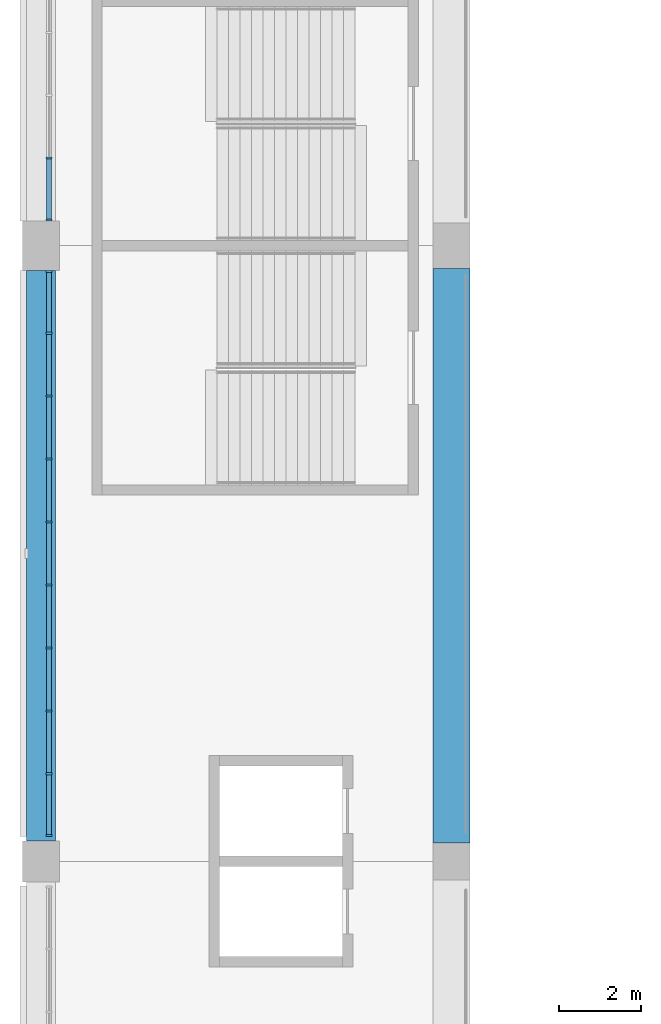
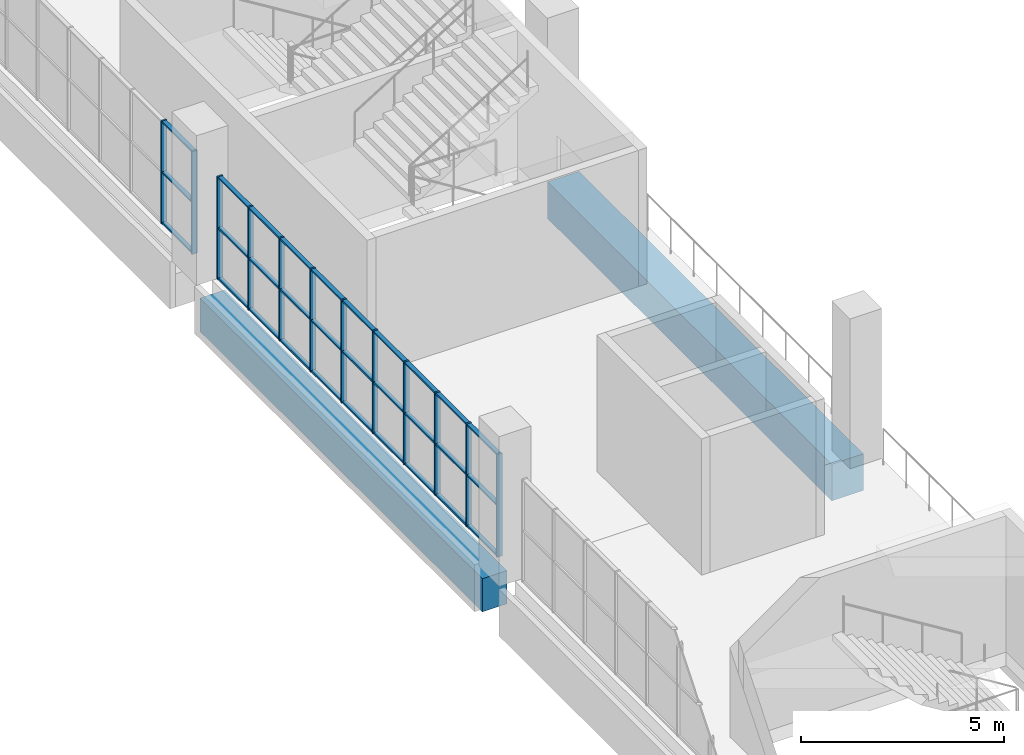
# One storey, part 15 of 177: 42 members, 2 beams, 2 elements without a shape of their own.
"""IFC4 building model written with IfcOpenShell, lengths in metres."""

import ifcopenshell
import ifcopenshell.guid

model = None  # the IFC model being written
_history = None  # IfcOwnerHistory: only IFC2X3 demands one
_inside = {}  # id of a spatial element -> (the spatial element, [elements in it])
_under = {}  # id of a project, library or spatial element -> (it, [spatial elements below it])
_declared = {}  # id of a project -> (the project, [libraries it declares])
_typed = {}  # id of a type object -> (the type object, [elements of that type])
_made_of = {}  # id of a material, layer set ... -> (it, [elements and type objects made of it])


def new_model(schema):
    """Start an empty IFC model of exactly this schema.

    Asked for "IFC4X3", IfcOpenShell would pick the latest addendum, in which some entities
    have other attributes; the version numbers below select the first issue.
    IFC2X3 requires an IfcOwnerHistory on every rooted entity: one is made here for all.
    """
    global model, _history
    if schema == "IFC4X3":
        model = ifcopenshell.file(schema_version=(4, 3, 0, 0))
    else:
        model = ifcopenshell.file(schema=schema)
    _inside.clear()
    _under.clear()
    _declared.clear()
    _typed.clear()
    _made_of.clear()
    _history = None
    if model.schema == "IFC2X3":
        org = make("IfcOrganization", Name="unknown")
        user = make(
            "IfcPersonAndOrganization",
            ThePerson=make("IfcPerson", FamilyName="unknown"),
            TheOrganization=org,
        )
        app = make(
            "IfcApplication",
            ApplicationDeveloper=org,
            Version="unknown",
            ApplicationFullName="unknown",
            ApplicationIdentifier="unknown",
        )
        _history = make(
            "IfcOwnerHistory",
            OwningUser=user,
            OwningApplication=app,
            ChangeAction="ADDED",
            CreationDate=0,
        )
    return model


def make(cls, **values):
    """One entity of the class cls with the attributes given. An attribute that is None is left unset."""
    return model.create_entity(
        cls, **{name: value for name, value in values.items() if value is not None}
    )


def rooted(cls, **values):
    """An entity with a GlobalId (a new one), such as an element, a storey or a relation."""
    return make(cls, GlobalId=ifcopenshell.guid.new(), OwnerHistory=_history, **values)


def si_unit(unit_type, name, prefix=None):
    """IfcSIUnit, for example si_unit("LENGTHUNIT", "METRE", prefix="MILLI")."""
    return make("IfcSIUnit", UnitType=unit_type, Prefix=prefix, Name=name)


def assignment(units):
    """IfcUnitAssignment: the units of a project."""
    return None if units is None else make("IfcUnitAssignment", Units=units)


def point(xyz):
    """IfcCartesianPoint."""
    return None if xyz is None else make("IfcCartesianPoint", Coordinates=xyz)


def direction(xyz):
    """IfcDirection."""
    return None if xyz is None else make("IfcDirection", DirectionRatios=xyz)


def frame(location, z_axis=None, x_axis=None):
    """IfcAxis2Placement3D, a coordinate frame: its origin and axes. An axis left out is left unset."""
    return make(
        "IfcAxis2Placement3D",
        Location=point(location),
        Axis=direction(z_axis),
        RefDirection=direction(x_axis),
    )


def frame_2d(location, x_axis=None):
    """IfcAxis2Placement2D, a coordinate frame in the plane: its origin and x axis."""
    return make(
        "IfcAxis2Placement2D", Location=point(location), RefDirection=direction(x_axis)
    )


def origin():
    """The frame at (0, 0, 0) with its axes left unset."""
    return frame((0.0, 0.0, 0.0))


def origin_2d():
    """The frame at (0, 0) in the plane with its x axis left unset."""
    return frame_2d((0.0, 0.0))


def place(relative_to, where):
    """IfcLocalPlacement: puts the frame where relative to a parent placement (None: the world)."""
    return make(
        "IfcLocalPlacement", PlacementRelTo=relative_to, RelativePlacement=where
    )


def context(
    kind, dimensions, precision=None, world=None, true_north=None, identifier=None
):
    """IfcGeometricRepresentationContext, for example the 3D "Model" context."""
    return make(
        "IfcGeometricRepresentationContext",
        ContextIdentifier=identifier,
        ContextType=kind,
        CoordinateSpaceDimension=dimensions,
        Precision=precision,
        WorldCoordinateSystem=world,
        TrueNorth=true_north,
    )


def subcontext(parent, identifier, kind, view, scale=None):
    """IfcGeometricRepresentationSubContext, for example "Body" below "Model"."""
    return make(
        "IfcGeometricRepresentationSubContext",
        ContextIdentifier=identifier,
        ContextType=kind,
        ParentContext=parent,
        TargetScale=scale,
        TargetView=view,
    )


def project(units=None, contexts=None):
    """IfcProject with its units and contexts."""
    return rooted(
        "IfcProject",
        Name="project",
        RepresentationContexts=contexts,
        UnitsInContext=assignment(units),
    )


def spatial(cls, under=None, at=None, **own):
    """A site, building, storey or space (cls), placed at a placement, below another one or the project."""
    s = rooted(cls, ObjectPlacement=at, **own)
    if under is not None:
        _under.setdefault(under.id(), (under, []))[1].append(s)
    return s


def profile(cls, at=None, kind="AREA", **sizes):
    """A parametric profile (cls). Its sizes go by their IFC names, for example OverallWidth=200.0."""
    return make(cls, ProfileType=kind, Position=at, **sizes)


def rectangle(**sizes):
    """IfcRectangleProfileDef."""
    return profile("IfcRectangleProfileDef", **sizes)


def extrude(swept, where, along, depth):
    """IfcExtrudedAreaSolid: the profile swept, set in the frame where, extruded along a direction by depth."""
    return make(
        "IfcExtrudedAreaSolid",
        SweptArea=swept,
        Position=where,
        ExtrudedDirection=direction(along),
        Depth=depth,
    )


def shape(context_of_items, identifier, shape_type, items):
    """IfcShapeRepresentation: the items that make up one representation, for example the "Body"."""
    return make(
        "IfcShapeRepresentation",
        ContextOfItems=context_of_items,
        RepresentationIdentifier=identifier,
        RepresentationType=shape_type,
        Items=items,
    )


def material(Name=None, Category=None):
    """IfcMaterial."""
    return make("IfcMaterial", Name=Name, Category=Category)


def material_profile(
    of_material, cross_section, Name=None, Category=None, Priority=None
):
    """IfcMaterialProfile: a cross section and its material."""
    return make(
        "IfcMaterialProfile",
        Name=Name,
        Material=of_material,
        Profile=cross_section,
        Priority=Priority,
        Category=Category,
    )


def profile_set(profiles, Name=None, composite=None):
    """IfcMaterialProfileSet."""
    return make(
        "IfcMaterialProfileSet",
        Name=Name,
        MaterialProfiles=profiles,
        CompositeProfile=composite,
    )


def made_of(thing, what):
    """Note that an element or type object is made of a material, layer set ...; save() writes the relation."""
    if what is not None:
        _made_of.setdefault(what.id(), (what, []))[1].append(thing)
    return thing


def type_object(cls, material=None, **own):
    """A type object (cls), such as IfcWallType, which elements share."""
    return made_of(rooted(cls, **own), material)


def element(
    cls,
    number,
    at=None,
    inside=None,
    cuts=None,
    type_object=None,
    material=None,
    context=None,
    identifier="Body",
    shape_type=None,
    held_by="IfcProductDefinitionShape",
    body=None,
    shapes=None,
    **own,
):
    """One element of the class cls, such as IfcWall. Its Tag is "e" and its number.

    at: its placement. inside: the storey or other place that contains it. cuts: it is an
    opening in that element (IfcRelVoidsElement). A single representation is given by context,
    identifier, shape_type and body (its items); several are given by shapes. held_by: the class
    of the entity that holds the representations. save() writes the other relations.
    """
    e = rooted(cls, Tag="e%d" % number, ObjectPlacement=at, **own)
    if body is not None:
        shapes = [shape(context, identifier, shape_type, body)]
    if shapes is not None:
        e.Representation = make(held_by, Representations=shapes)
    if inside is not None:
        _inside.setdefault(inside.id(), (inside, []))[1].append(e)
    if cuts is not None:
        rooted(
            "IfcRelVoidsElement", RelatingBuildingElement=cuts, RelatedOpeningElement=e
        )
    if type_object is not None:
        _typed.setdefault(type_object.id(), (type_object, []))[1].append(e)
    return made_of(e, material)


def aggregate(whole, parts):
    """IfcRelAggregates: a whole, such as a stair, and the parts it consists of."""
    return rooted("IfcRelAggregates", RelatingObject=whole, RelatedObjects=parts)


def save(model, path):
    """Write the relations noted so far, then the file.

    IfcRelAggregates (storeys below a building ...), IfcRelContainedInSpatialStructure (elements
    in a storey), IfcRelDefinesByType, IfcRelAssociatesMaterial and IfcRelDeclares: one each for
    every whole, place, type object, material and project.
    """
    for whole, parts in _under.values():
        aggregate(whole, parts)
    for where, things in _inside.values():
        rooted(
            "IfcRelContainedInSpatialStructure",
            RelatedElements=things,
            RelatingStructure=where,
        )
    for kind, things in _typed.values():
        rooted("IfcRelDefinesByType", RelatedObjects=things, RelatingType=kind)
    for what, things in _made_of.values():
        rooted("IfcRelAssociatesMaterial", RelatedObjects=things, RelatingMaterial=what)
    for by, libraries in _declared.values():
        rooted("IfcRelDeclares", RelatingContext=by, RelatedDefinitions=libraries)
    model.write(path)


model = new_model("IFC4")

# Units and contexts
model_context = context("Model", 3, precision=1e-05, world=origin(), true_north=direction((0.0, 1.0)))
body_context = subcontext(model_context, "Body", "Model", "MODEL_VIEW")
ifc_project = project(units=[si_unit("LENGTHUNIT", "METRE"), si_unit("AREAUNIT", "SQUARE_METRE"), si_unit("VOLUMEUNIT", "CUBIC_METRE"), si_unit("PLANEANGLEUNIT", "RADIAN"), si_unit("MASSUNIT", "GRAM", prefix="KILO")], contexts=[model_context])

# Site, building, storey
site_placement = place(None, origin())
site = spatial("IfcSite", under=ifc_project, at=site_placement, CompositionType="ELEMENT")
building_placement = place(site_placement, origin())
building = spatial("IfcBuilding", under=site, at=building_placement, Name="Ogive Plaza Stadium", CompositionType="ELEMENT")
storey_placement = place(building_placement, frame((0.0, 0.0, 18.0)))
storey = spatial("IfcBuildingStorey", under=building, at=storey_placement, Name="L04", CompositionType="ELEMENT", Elevation=18.0)

# Curtain wall, members
ifc_material_1 = material(Name="Bronze-anodised aluminium with laminated glass", Category="aluminium")
curtain_wall_type = type_object("IfcCurtainWallType", Name="Lancet curtain wall", PredefinedType="NOTDEFINED", material=ifc_material_1)
curtain_wall_1_placement = place(storey_placement, origin())
curtain_wall_1 = element("IfcCurtainWall", 1, at=curtain_wall_1_placement, inside=storey, type_object=curtain_wall_type, Name="CURTAIN WALL B25 L04", PredefinedType="NOTDEFINED")
ifc_material_2 = material(Name="Bronze-anodised aluminium", Category="aluminium")
ifc_material_profile_1 = material_profile(ifc_material_2, rectangle(XDim=0.14990234375, YDim=0.050048828125, at=origin_2d()), Name="AL 150x50")
ifc_profile_set_1 = profile_set([ifc_material_profile_1], Name="Bronze-anodised aluminium")
member_type_1 = type_object("IfcMemberType", Name="Curtain wall mullion 50x150", PredefinedType="MULLION", material=ifc_profile_set_1)
member_1_placement = place(storey_placement, frame((-83.800048828125, 8.125, 0.0), z_axis=(0.0, 0.0, 1.0), x_axis=(-1.0, 0.0, 0.0)))
member_1 = element("IfcMember", 2, at=member_1_placement, type_object=member_type_1, Name="CW-B25-L04 mullion 1", PredefinedType="MULLION", context=body_context, shape_type="SweptSolid", body=[
    extrude(rectangle(XDim=0.14990234375, YDim=0.050048828125, at=origin_2d()), origin(), (0.0, 0.0, 1.0), 3.090087890625),
])
member_2_placement = place(storey_placement, frame((-83.800048828125, 9.63330078125, 0.0), z_axis=(0.0, 0.0, 1.0), x_axis=(-1.0, 0.0, 0.0)))
member_2 = element("IfcMember", 3, at=member_2_placement, type_object=member_type_1, Name="CW-B25-L04 mullion 2", PredefinedType="MULLION", context=body_context, shape_type="SweptSolid", body=[
    extrude(rectangle(XDim=0.14990234375, YDim=0.050048828125, at=origin_2d()), origin(), (0.0, 0.0, 1.0), 3.090087890625),
])
member_3_placement = place(storey_placement, frame((-83.800048828125, 11.166748046875, 0.0), z_axis=(0.0, 0.0, 1.0), x_axis=(-1.0, 0.0, 0.0)))
member_3 = element("IfcMember", 4, at=member_3_placement, type_object=member_type_1, Name="CW-B25-L04 mullion 3", PredefinedType="MULLION", context=body_context, shape_type="SweptSolid", body=[
    extrude(rectangle(XDim=0.14990234375, YDim=0.050048828125, at=origin_2d()), origin(), (0.0, 0.0, 1.0), 3.090087890625),
])
member_4_placement = place(storey_placement, frame((-83.800048828125, 12.699951171875, 0.0), z_axis=(0.0, 0.0, 1.0), x_axis=(-1.0, 0.0, 0.0)))
member_4 = element("IfcMember", 5, at=member_4_placement, type_object=member_type_1, Name="CW-B25-L04 mullion 4", PredefinedType="MULLION", context=body_context, shape_type="SweptSolid", body=[
    extrude(rectangle(XDim=0.14990234375, YDim=0.050048828125, at=origin_2d()), origin(), (0.0, 0.0, 1.0), 3.090087890625),
])
member_5_placement = place(storey_placement, frame((-83.800048828125, 14.2333984375, 0.0), z_axis=(0.0, 0.0, 1.0), x_axis=(-1.0, 0.0, 0.0)))
member_5 = element("IfcMember", 6, at=member_5_placement, type_object=member_type_1, Name="CW-B25-L04 mullion 5", PredefinedType="MULLION", context=body_context, shape_type="SweptSolid", body=[
    extrude(rectangle(XDim=0.14990234375, YDim=0.050048828125, at=origin_2d()), origin(), (0.0, 0.0, 1.0), 3.090087890625),
])
member_6_placement = place(storey_placement, frame((-83.800048828125, 15.7666015625, 0.0), z_axis=(0.0, 0.0, 1.0), x_axis=(-1.0, 0.0, 0.0)))
member_6 = element("IfcMember", 7, at=member_6_placement, type_object=member_type_1, Name="CW-B25-L04 mullion 6", PredefinedType="MULLION", context=body_context, shape_type="SweptSolid", body=[
    extrude(rectangle(XDim=0.14990234375, YDim=0.050048828125, at=origin_2d()), origin(), (0.0, 0.0, 1.0), 3.090087890625),
])
member_7_placement = place(storey_placement, frame((-83.800048828125, 17.300048828125, 0.0), z_axis=(0.0, 0.0, 1.0), x_axis=(-1.0, 0.0, 0.0)))
member_7 = element("IfcMember", 8, at=member_7_placement, type_object=member_type_1, Name="CW-B25-L04 mullion 7", PredefinedType="MULLION", context=body_context, shape_type="SweptSolid", body=[
    extrude(rectangle(XDim=0.14990234375, YDim=0.050048828125, at=origin_2d()), origin(), (0.0, 0.0, 1.0), 3.090087890625),
])
member_8_placement = place(storey_placement, frame((-83.800048828125, 18.833251953125, 0.0), z_axis=(0.0, 0.0, 1.0), x_axis=(-1.0, 0.0, 0.0)))
member_8 = element("IfcMember", 9, at=member_8_placement, type_object=member_type_1, Name="CW-B25-L04 mullion 8", PredefinedType="MULLION", context=body_context, shape_type="SweptSolid", body=[
    extrude(rectangle(XDim=0.14990234375, YDim=0.050048828125, at=origin_2d()), origin(), (0.0, 0.0, 1.0), 3.090087890625),
])
member_9_placement = place(storey_placement, frame((-83.800048828125, 20.36669921875, 0.0), z_axis=(0.0, 0.0, 1.0), x_axis=(-1.0, 0.0, 0.0)))
member_9 = element("IfcMember", 10, at=member_9_placement, type_object=member_type_1, Name="CW-B25-L04 mullion 9", PredefinedType="MULLION", context=body_context, shape_type="SweptSolid", body=[
    extrude(rectangle(XDim=0.14990234375, YDim=0.050048828125, at=origin_2d()), origin(), (0.0, 0.0, 1.0), 3.090087890625),
])
member_10_placement = place(storey_placement, frame((-83.800048828125, 21.875, 0.0), z_axis=(0.0, 0.0, 1.0), x_axis=(-1.0, 0.0, 0.0)))
member_10 = element("IfcMember", 11, at=member_10_placement, type_object=member_type_1, Name="CW-B25-L04 mullion 10", PredefinedType="MULLION", context=body_context, shape_type="SweptSolid", body=[
    extrude(rectangle(XDim=0.14990234375, YDim=0.050048828125, at=origin_2d()), origin(), (0.0, 0.0, 1.0), 3.090087890625),
])

curtain_wall_2_placement = place(storey_placement, origin())
curtain_wall_2 = element("IfcCurtainWall", 12, at=curtain_wall_2_placement, inside=storey, type_object=curtain_wall_type, Name="CURTAIN WALL B26 L04", PredefinedType="NOTDEFINED")
member_11_placement = place(storey_placement, frame((-83.800048828125, 23.125, 0.0), z_axis=(0.0, 0.0, 1.0), x_axis=(-1.0, 0.0, 0.0)))
member_11 = element("IfcMember", 13, at=member_11_placement, type_object=member_type_1, Name="CW-B26-L04 mullion 1", PredefinedType="MULLION", context=body_context, shape_type="SweptSolid", body=[
    extrude(rectangle(XDim=0.14990234375, YDim=0.050048828125, at=origin_2d()), origin(), (0.0, 0.0, 1.0), 3.090087890625),
])
member_12_placement = place(storey_placement, frame((-83.800048828125, 24.63330078125, 0.0), z_axis=(0.0, 0.0, 1.0), x_axis=(-1.0, 0.0, 0.0)))
member_12 = element("IfcMember", 14, at=member_12_placement, type_object=member_type_1, Name="CW-B26-L04 mullion 2", PredefinedType="MULLION", context=body_context, shape_type="SweptSolid", body=[
    extrude(rectangle(XDim=0.14990234375, YDim=0.050048828125, at=origin_2d()), origin(), (0.0, 0.0, 1.0), 3.090087890625),
])

# Member
ifc_material_3 = material(Name="Bronze-anodised aluminium", Category="aluminium")
ifc_material_profile_2 = material_profile(ifc_material_3, rectangle(XDim=0.1201171875, YDim=0.050048828125, at=origin_2d()), Name="AL 120x50")
ifc_profile_set_2 = profile_set([ifc_material_profile_2], Name="Bronze-anodised aluminium")
member_type_2 = type_object("IfcMemberType", Name="Curtain wall transom 50x120", PredefinedType="USERDEFINED", material=ifc_profile_set_2)
member_13_placement = place(storey_placement, frame((-83.800048828125, 8.14990234375, 0.02490234375), z_axis=(0.0, 1.0, 0.0), x_axis=(-1.0, 0.0, 0.0)))
member_13 = element("IfcMember", 15, at=member_13_placement, type_object=member_type_2, Name="CW-B25-L04 transom 1.1", ObjectType="TRANSOM", PredefinedType="USERDEFINED", context=body_context, shape_type="SweptSolid", body=[
    extrude(rectangle(XDim=0.1201171875, YDim=0.050048828125, at=origin_2d()), origin(), (0.0, 0.0, 1.0), 1.45849609375),
])

member_14_placement = place(storey_placement, frame((-83.800048828125, 8.14990234375, 1.544921875), z_axis=(0.0, 1.0, 0.0), x_axis=(-1.0, 0.0, 0.0)))
member_14 = element("IfcMember", 16, at=member_14_placement, type_object=member_type_2, Name="CW-B25-L04 transom 1.2", ObjectType="TRANSOM", PredefinedType="USERDEFINED", context=body_context, shape_type="SweptSolid", body=[
    extrude(rectangle(XDim=0.1201171875, YDim=0.050048828125, at=origin_2d()), origin(), (0.0, 0.0, 1.0), 1.45849609375),
])

member_15_placement = place(storey_placement, frame((-83.800048828125, 8.14990234375, 3.06494140625), z_axis=(0.0, 1.0, 0.0), x_axis=(-1.0, 0.0, 0.0)))
member_15 = element("IfcMember", 17, at=member_15_placement, type_object=member_type_2, Name="CW-B25-L04 transom 1.3", ObjectType="TRANSOM", PredefinedType="USERDEFINED", context=body_context, shape_type="SweptSolid", body=[
    extrude(rectangle(XDim=0.1201171875, YDim=0.050048828125, at=origin_2d()), origin(), (0.0, 0.0, 1.0), 1.45849609375),
])

member_16_placement = place(storey_placement, frame((-83.800048828125, 9.658447265625, 0.02490234375), z_axis=(0.0, 1.0, 0.0), x_axis=(-1.0, 0.0, 0.0)))
member_16 = element("IfcMember", 18, at=member_16_placement, type_object=member_type_2, Name="CW-B25-L04 transom 2.1", ObjectType="TRANSOM", PredefinedType="USERDEFINED", context=body_context, shape_type="SweptSolid", body=[
    extrude(rectangle(XDim=0.1201171875, YDim=0.050048828125, at=origin_2d()), origin(), (0.0, 0.0, 1.0), 1.483154296875),
])

member_17_placement = place(storey_placement, frame((-83.800048828125, 9.658447265625, 1.544921875), z_axis=(0.0, 1.0, 0.0), x_axis=(-1.0, 0.0, 0.0)))
member_17 = element("IfcMember", 19, at=member_17_placement, type_object=member_type_2, Name="CW-B25-L04 transom 2.2", ObjectType="TRANSOM", PredefinedType="USERDEFINED", context=body_context, shape_type="SweptSolid", body=[
    extrude(rectangle(XDim=0.1201171875, YDim=0.050048828125, at=origin_2d()), origin(), (0.0, 0.0, 1.0), 1.483154296875),
])

member_18_placement = place(storey_placement, frame((-83.800048828125, 9.658447265625, 3.06494140625), z_axis=(0.0, 1.0, 0.0), x_axis=(-1.0, 0.0, 0.0)))
member_18 = element("IfcMember", 20, at=member_18_placement, type_object=member_type_2, Name="CW-B25-L04 transom 2.3", ObjectType="TRANSOM", PredefinedType="USERDEFINED", context=body_context, shape_type="SweptSolid", body=[
    extrude(rectangle(XDim=0.1201171875, YDim=0.050048828125, at=origin_2d()), origin(), (0.0, 0.0, 1.0), 1.483154296875),
])

member_19_placement = place(storey_placement, frame((-83.800048828125, 11.191650390625, 0.02490234375), z_axis=(0.0, 1.0, 0.0), x_axis=(-1.0, 0.0, 0.0)))
member_19 = element("IfcMember", 21, at=member_19_placement, type_object=member_type_2, Name="CW-B25-L04 transom 3.1", ObjectType="TRANSOM", PredefinedType="USERDEFINED", context=body_context, shape_type="SweptSolid", body=[
    extrude(rectangle(XDim=0.1201171875, YDim=0.050048828125, at=origin_2d()), origin(), (0.0, 0.0, 1.0), 1.4833984375),
])

member_20_placement = place(storey_placement, frame((-83.800048828125, 11.191650390625, 1.544921875), z_axis=(0.0, 1.0, 0.0), x_axis=(-1.0, 0.0, 0.0)))
member_20 = element("IfcMember", 22, at=member_20_placement, type_object=member_type_2, Name="CW-B25-L04 transom 3.2", ObjectType="TRANSOM", PredefinedType="USERDEFINED", context=body_context, shape_type="SweptSolid", body=[
    extrude(rectangle(XDim=0.1201171875, YDim=0.050048828125, at=origin_2d()), origin(), (0.0, 0.0, 1.0), 1.4833984375),
])

member_21_placement = place(storey_placement, frame((-83.800048828125, 11.191650390625, 3.06494140625), z_axis=(0.0, 1.0, 0.0), x_axis=(-1.0, 0.0, 0.0)))
member_21 = element("IfcMember", 23, at=member_21_placement, type_object=member_type_2, Name="CW-B25-L04 transom 3.3", ObjectType="TRANSOM", PredefinedType="USERDEFINED", context=body_context, shape_type="SweptSolid", body=[
    extrude(rectangle(XDim=0.1201171875, YDim=0.050048828125, at=origin_2d()), origin(), (0.0, 0.0, 1.0), 1.4833984375),
])

member_22_placement = place(storey_placement, frame((-83.800048828125, 12.72509765625, 0.02490234375), z_axis=(0.0, 1.0, 0.0), x_axis=(-1.0, 0.0, 0.0)))
member_22 = element("IfcMember", 24, at=member_22_placement, type_object=member_type_2, Name="CW-B25-L04 transom 4.1", ObjectType="TRANSOM", PredefinedType="USERDEFINED", context=body_context, shape_type="SweptSolid", body=[
    extrude(rectangle(XDim=0.1201171875, YDim=0.050048828125, at=origin_2d()), origin(), (0.0, 0.0, 1.0), 1.483154296875),
])

member_23_placement = place(storey_placement, frame((-83.800048828125, 12.72509765625, 1.544921875), z_axis=(0.0, 1.0, 0.0), x_axis=(-1.0, 0.0, 0.0)))
member_23 = element("IfcMember", 25, at=member_23_placement, type_object=member_type_2, Name="CW-B25-L04 transom 4.2", ObjectType="TRANSOM", PredefinedType="USERDEFINED", context=body_context, shape_type="SweptSolid", body=[
    extrude(rectangle(XDim=0.1201171875, YDim=0.050048828125, at=origin_2d()), origin(), (0.0, 0.0, 1.0), 1.483154296875),
])

member_24_placement = place(storey_placement, frame((-83.800048828125, 12.72509765625, 3.06494140625), z_axis=(0.0, 1.0, 0.0), x_axis=(-1.0, 0.0, 0.0)))
member_24 = element("IfcMember", 26, at=member_24_placement, type_object=member_type_2, Name="CW-B25-L04 transom 4.3", ObjectType="TRANSOM", PredefinedType="USERDEFINED", context=body_context, shape_type="SweptSolid", body=[
    extrude(rectangle(XDim=0.1201171875, YDim=0.050048828125, at=origin_2d()), origin(), (0.0, 0.0, 1.0), 1.483154296875),
])

member_25_placement = place(storey_placement, frame((-83.800048828125, 14.25830078125, 0.02490234375), z_axis=(0.0, 1.0, 0.0), x_axis=(-1.0, 0.0, 0.0)))
member_25 = element("IfcMember", 27, at=member_25_placement, type_object=member_type_2, Name="CW-B25-L04 transom 5.1", ObjectType="TRANSOM", PredefinedType="USERDEFINED", context=body_context, shape_type="SweptSolid", body=[
    extrude(rectangle(XDim=0.1201171875, YDim=0.050048828125, at=origin_2d()), origin(), (0.0, 0.0, 1.0), 1.4833984375),
])

member_26_placement = place(storey_placement, frame((-83.800048828125, 14.25830078125, 1.544921875), z_axis=(0.0, 1.0, 0.0), x_axis=(-1.0, 0.0, 0.0)))
member_26 = element("IfcMember", 28, at=member_26_placement, type_object=member_type_2, Name="CW-B25-L04 transom 5.2", ObjectType="TRANSOM", PredefinedType="USERDEFINED", context=body_context, shape_type="SweptSolid", body=[
    extrude(rectangle(XDim=0.1201171875, YDim=0.050048828125, at=origin_2d()), origin(), (0.0, 0.0, 1.0), 1.4833984375),
])

member_27_placement = place(storey_placement, frame((-83.800048828125, 14.25830078125, 3.06494140625), z_axis=(0.0, 1.0, 0.0), x_axis=(-1.0, 0.0, 0.0)))
member_27 = element("IfcMember", 29, at=member_27_placement, type_object=member_type_2, Name="CW-B25-L04 transom 5.3", ObjectType="TRANSOM", PredefinedType="USERDEFINED", context=body_context, shape_type="SweptSolid", body=[
    extrude(rectangle(XDim=0.1201171875, YDim=0.050048828125, at=origin_2d()), origin(), (0.0, 0.0, 1.0), 1.4833984375),
])

member_28_placement = place(storey_placement, frame((-83.800048828125, 15.791748046875, 0.02490234375), z_axis=(0.0, 1.0, 0.0), x_axis=(-1.0, 0.0, 0.0)))
member_28 = element("IfcMember", 30, at=member_28_placement, type_object=member_type_2, Name="CW-B25-L04 transom 6.1", ObjectType="TRANSOM", PredefinedType="USERDEFINED", context=body_context, shape_type="SweptSolid", body=[
    extrude(rectangle(XDim=0.1201171875, YDim=0.050048828125, at=origin_2d()), origin(), (0.0, 0.0, 1.0), 1.483154296875),
])

member_29_placement = place(storey_placement, frame((-83.800048828125, 15.791748046875, 1.544921875), z_axis=(0.0, 1.0, 0.0), x_axis=(-1.0, 0.0, 0.0)))
member_29 = element("IfcMember", 31, at=member_29_placement, type_object=member_type_2, Name="CW-B25-L04 transom 6.2", ObjectType="TRANSOM", PredefinedType="USERDEFINED", context=body_context, shape_type="SweptSolid", body=[
    extrude(rectangle(XDim=0.1201171875, YDim=0.050048828125, at=origin_2d()), origin(), (0.0, 0.0, 1.0), 1.483154296875),
])

member_30_placement = place(storey_placement, frame((-83.800048828125, 15.791748046875, 3.06494140625), z_axis=(0.0, 1.0, 0.0), x_axis=(-1.0, 0.0, 0.0)))
member_30 = element("IfcMember", 32, at=member_30_placement, type_object=member_type_2, Name="CW-B25-L04 transom 6.3", ObjectType="TRANSOM", PredefinedType="USERDEFINED", context=body_context, shape_type="SweptSolid", body=[
    extrude(rectangle(XDim=0.1201171875, YDim=0.050048828125, at=origin_2d()), origin(), (0.0, 0.0, 1.0), 1.483154296875),
])

member_31_placement = place(storey_placement, frame((-83.800048828125, 17.324951171875, 0.02490234375), z_axis=(0.0, 1.0, 0.0), x_axis=(-1.0, 0.0, 0.0)))
member_31 = element("IfcMember", 33, at=member_31_placement, type_object=member_type_2, Name="CW-B25-L04 transom 7.1", ObjectType="TRANSOM", PredefinedType="USERDEFINED", context=body_context, shape_type="SweptSolid", body=[
    extrude(rectangle(XDim=0.1201171875, YDim=0.050048828125, at=origin_2d()), origin(), (0.0, 0.0, 1.0), 1.4833984375),
])

member_32_placement = place(storey_placement, frame((-83.800048828125, 17.324951171875, 1.544921875), z_axis=(0.0, 1.0, 0.0), x_axis=(-1.0, 0.0, 0.0)))
member_32 = element("IfcMember", 34, at=member_32_placement, type_object=member_type_2, Name="CW-B25-L04 transom 7.2", ObjectType="TRANSOM", PredefinedType="USERDEFINED", context=body_context, shape_type="SweptSolid", body=[
    extrude(rectangle(XDim=0.1201171875, YDim=0.050048828125, at=origin_2d()), origin(), (0.0, 0.0, 1.0), 1.4833984375),
])

member_33_placement = place(storey_placement, frame((-83.800048828125, 17.324951171875, 3.06494140625), z_axis=(0.0, 1.0, 0.0), x_axis=(-1.0, 0.0, 0.0)))
member_33 = element("IfcMember", 35, at=member_33_placement, type_object=member_type_2, Name="CW-B25-L04 transom 7.3", ObjectType="TRANSOM", PredefinedType="USERDEFINED", context=body_context, shape_type="SweptSolid", body=[
    extrude(rectangle(XDim=0.1201171875, YDim=0.050048828125, at=origin_2d()), origin(), (0.0, 0.0, 1.0), 1.4833984375),
])

member_34_placement = place(storey_placement, frame((-83.800048828125, 18.8583984375, 0.02490234375), z_axis=(0.0, 1.0, 0.0), x_axis=(-1.0, 0.0, 0.0)))
member_34 = element("IfcMember", 36, at=member_34_placement, type_object=member_type_2, Name="CW-B25-L04 transom 8.1", ObjectType="TRANSOM", PredefinedType="USERDEFINED", context=body_context, shape_type="SweptSolid", body=[
    extrude(rectangle(XDim=0.1201171875, YDim=0.050048828125, at=origin_2d()), origin(), (0.0, 0.0, 1.0), 1.483154296875),
])

member_35_placement = place(storey_placement, frame((-83.800048828125, 18.8583984375, 1.544921875), z_axis=(0.0, 1.0, 0.0), x_axis=(-1.0, 0.0, 0.0)))
member_35 = element("IfcMember", 37, at=member_35_placement, type_object=member_type_2, Name="CW-B25-L04 transom 8.2", ObjectType="TRANSOM", PredefinedType="USERDEFINED", context=body_context, shape_type="SweptSolid", body=[
    extrude(rectangle(XDim=0.1201171875, YDim=0.050048828125, at=origin_2d()), origin(), (0.0, 0.0, 1.0), 1.483154296875),
])

member_36_placement = place(storey_placement, frame((-83.800048828125, 18.8583984375, 3.06494140625), z_axis=(0.0, 1.0, 0.0), x_axis=(-1.0, 0.0, 0.0)))
member_36 = element("IfcMember", 38, at=member_36_placement, type_object=member_type_2, Name="CW-B25-L04 transom 8.3", ObjectType="TRANSOM", PredefinedType="USERDEFINED", context=body_context, shape_type="SweptSolid", body=[
    extrude(rectangle(XDim=0.1201171875, YDim=0.050048828125, at=origin_2d()), origin(), (0.0, 0.0, 1.0), 1.483154296875),
])

member_37_placement = place(storey_placement, frame((-83.800048828125, 20.3916015625, 0.02490234375), z_axis=(0.0, 1.0, 0.0), x_axis=(-1.0, 0.0, 0.0)))
member_37 = element("IfcMember", 39, at=member_37_placement, type_object=member_type_2, Name="CW-B25-L04 transom 9.1", ObjectType="TRANSOM", PredefinedType="USERDEFINED", context=body_context, shape_type="SweptSolid", body=[
    extrude(rectangle(XDim=0.1201171875, YDim=0.050048828125, at=origin_2d()), origin(), (0.0, 0.0, 1.0), 1.45849609375),
])

member_38_placement = place(storey_placement, frame((-83.800048828125, 20.3916015625, 1.544921875), z_axis=(0.0, 1.0, 0.0), x_axis=(-1.0, 0.0, 0.0)))
member_38 = element("IfcMember", 40, at=member_38_placement, type_object=member_type_2, Name="CW-B25-L04 transom 9.2", ObjectType="TRANSOM", PredefinedType="USERDEFINED", context=body_context, shape_type="SweptSolid", body=[
    extrude(rectangle(XDim=0.1201171875, YDim=0.050048828125, at=origin_2d()), origin(), (0.0, 0.0, 1.0), 1.45849609375),
])

member_39_placement = place(storey_placement, frame((-83.800048828125, 20.3916015625, 3.06494140625), z_axis=(0.0, 1.0, 0.0), x_axis=(-1.0, 0.0, 0.0)))
member_39 = element("IfcMember", 41, at=member_39_placement, type_object=member_type_2, Name="CW-B25-L04 transom 9.3", ObjectType="TRANSOM", PredefinedType="USERDEFINED", context=body_context, shape_type="SweptSolid", body=[
    extrude(rectangle(XDim=0.1201171875, YDim=0.050048828125, at=origin_2d()), origin(), (0.0, 0.0, 1.0), 1.45849609375),
])

aggregate(curtain_wall_1, [member_1, member_2, member_3, member_4, member_5, member_6, member_7, member_8, member_9, member_10, member_13, member_14, member_15, member_16, member_17, member_18, member_19, member_20, member_21, member_22, member_23, member_24, member_25, member_26, member_27, member_28, member_29, member_30, member_31, member_32, member_33, member_34, member_35, member_36, member_37, member_38, member_39])

member_40_placement = place(storey_placement, frame((-83.800048828125, 23.14990234375, 0.02490234375), z_axis=(0.0, 1.0, 0.0), x_axis=(-1.0, 0.0, 0.0)))
member_40 = element("IfcMember", 42, at=member_40_placement, type_object=member_type_2, Name="CW-B26-L04 transom 1.1", ObjectType="TRANSOM", PredefinedType="USERDEFINED", context=body_context, shape_type="SweptSolid", body=[
    extrude(rectangle(XDim=0.1201171875, YDim=0.050048828125, at=origin_2d()), origin(), (0.0, 0.0, 1.0), 1.45849609375),
])

member_41_placement = place(storey_placement, frame((-83.800048828125, 23.14990234375, 1.544921875), z_axis=(0.0, 1.0, 0.0), x_axis=(-1.0, 0.0, 0.0)))
member_41 = element("IfcMember", 43, at=member_41_placement, type_object=member_type_2, Name="CW-B26-L04 transom 1.2", ObjectType="TRANSOM", PredefinedType="USERDEFINED", context=body_context, shape_type="SweptSolid", body=[
    extrude(rectangle(XDim=0.1201171875, YDim=0.050048828125, at=origin_2d()), origin(), (0.0, 0.0, 1.0), 1.45849609375),
])

member_42_placement = place(storey_placement, frame((-83.800048828125, 23.14990234375, 3.06494140625), z_axis=(0.0, 1.0, 0.0), x_axis=(-1.0, 0.0, 0.0)))
member_42 = element("IfcMember", 44, at=member_42_placement, type_object=member_type_2, Name="CW-B26-L04 transom 1.3", ObjectType="TRANSOM", PredefinedType="USERDEFINED", context=body_context, shape_type="SweptSolid", body=[
    extrude(rectangle(XDim=0.1201171875, YDim=0.050048828125, at=origin_2d()), origin(), (0.0, 0.0, 1.0), 1.45849609375),
])

aggregate(curtain_wall_2, [member_11, member_12, member_40, member_41, member_42])

# Beams
ifc_material_4 = material(Name="Concrete C40/50", Category="concrete")
ifc_material_profile_3 = material_profile(ifc_material_4, rectangle(XDim=0.89990234375, YDim=1.10009765625, at=origin_2d()), Name="RC 900x1100")
ifc_profile_set_3 = profile_set([ifc_material_profile_3], Name="Concrete C40/50")
beam_type_1 = type_object("IfcBeamType", Name="RC ring beam 900x1100", PredefinedType="BEAM", material=ifc_profile_set_3)
beam_1_placement = place(storey_placement, frame((-74.0, 7.949951171875, -0.9599609375), z_axis=(0.0, 1.0, 0.0), x_axis=(-1.0, 0.0, 0.0)))
element("IfcBeam", 45, at=beam_1_placement, inside=storey, type_object=beam_type_1, Name="Ring beam F4 L04 B25", PredefinedType="BEAM", context=body_context, shape_type="SweptSolid", body=[
    extrude(rectangle(XDim=0.89990234375, YDim=1.10009765625, at=origin_2d()), origin(), (0.0, 0.0, 1.0), 14.0),
])
ifc_material_5 = material(Name="Concrete C40/50", Category="concrete")
ifc_material_profile_4 = material_profile(ifc_material_5, rectangle(XDim=0.699951171875, YDim=1.0, at=origin_2d()), Name="RC 700x1000")
ifc_profile_set_4 = profile_set([ifc_material_profile_4], Name="Concrete C40/50")
beam_type_2 = type_object("IfcBeamType", Name="RC spandrel beam 700x1000", PredefinedType="SPANDREL", material=ifc_profile_set_4)
beam_2_placement = place(storey_placement, frame((-84.0, 8.0, -0.909912109375), z_axis=(0.0, 1.0, 0.0), x_axis=(-1.0, 0.0, 0.0)))
element("IfcBeam", 46, at=beam_2_placement, inside=storey, type_object=beam_type_2, Name="Ring beam F5 L04 B25", PredefinedType="SPANDREL", context=body_context, shape_type="SweptSolid", body=[
    extrude(rectangle(XDim=0.699951171875, YDim=1.0, at=origin_2d()), origin(), (0.0, 0.0, 1.0), 13.89990234375),
])

save(model, "model.ifc")
